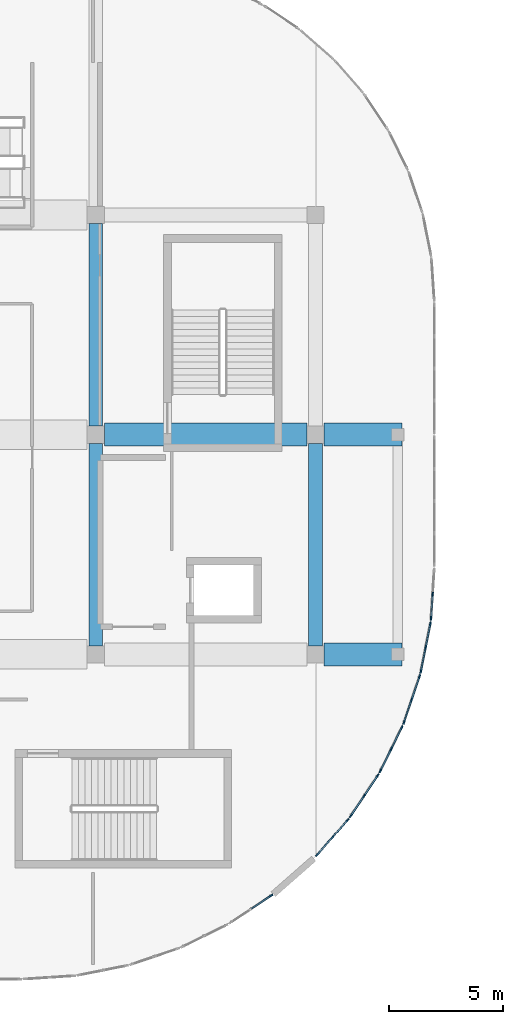
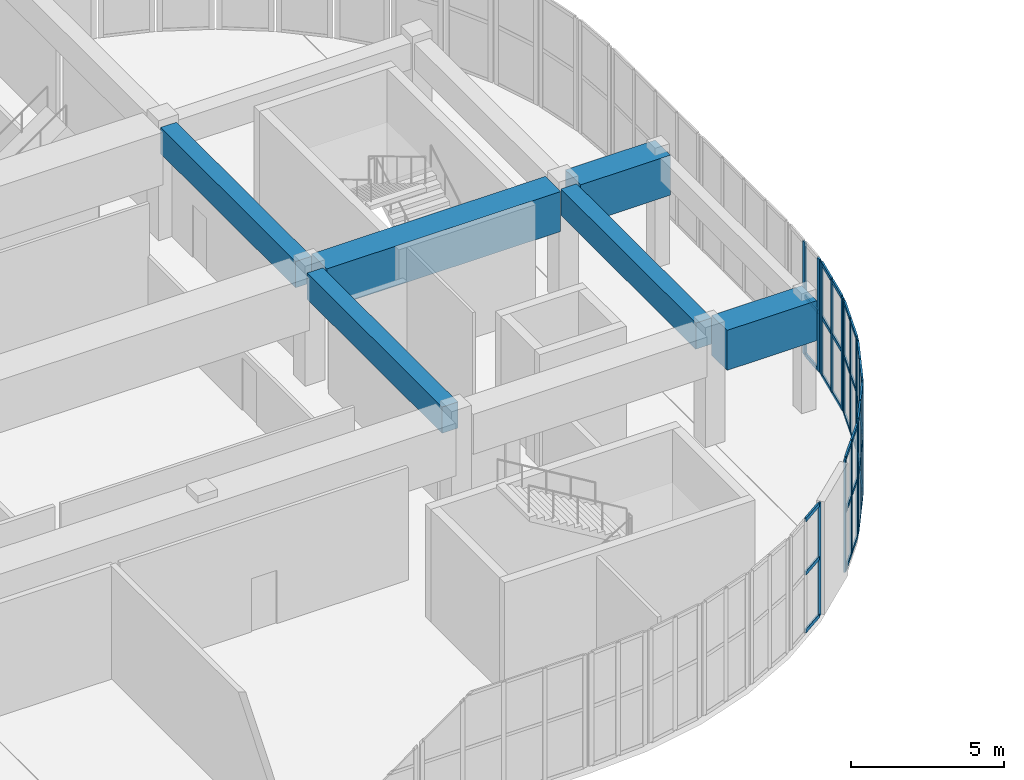
# One storey, part 8 of 28: 53 members, 6 beams, 7 elements without a shape of their own.
"""IFC4 building model written with IfcOpenShell, lengths in metres."""

from ifc_helpers import new_model, si_unit, direction, frame, origin, origin_2d, place, context, subcontext, project, spatial, rectangle, extrude, material, layer, layer_set, material_profile, profile_set, type_object, element, aggregate, save


model = new_model("IFC4")

# Units and contexts
model_context = context("Model", 3, precision=1e-05, world=origin(), true_north=direction((0.0, 1.0)))
body_context = subcontext(model_context, "Body", "Model", "MODEL_VIEW")
ifc_project = project(units=[si_unit("LENGTHUNIT", "METRE"), si_unit("AREAUNIT", "SQUARE_METRE"), si_unit("VOLUMEUNIT", "CUBIC_METRE"), si_unit("PLANEANGLEUNIT", "RADIAN"), si_unit("MASSUNIT", "GRAM", prefix="KILO")], contexts=[model_context])

# Site, building, storey
site_placement = place(None, origin())
site = spatial("IfcSite", under=ifc_project, at=site_placement, CompositionType="ELEMENT")
building_placement = place(site_placement, origin())
building = spatial("IfcBuilding", under=site, at=building_placement, Name="Cendralis Terraced Arcade", CompositionType="ELEMENT")
storey_placement = place(building_placement, frame((0.0, 0.0, 24.60009765625)))
storey = spatial("IfcBuildingStorey", under=building, at=storey_placement, Name="L05", CompositionType="ELEMENT", Elevation=24.60009765625)

# Beams
ifc_material_1 = material(Name="Concrete f'c 35 MPa", Category="concrete")
ifc_material_profile_1 = material_profile(ifc_material_1, rectangle(XDim=0.60009765625, YDim=1.050048828125, at=origin_2d()), Name="RC-BM-600x1050", Category="LoadBearing")
ifc_profile_set_1 = profile_set([ifc_material_profile_1], Name="Concrete f'c 35 MPa")
beam_type_1 = type_object("IfcBeamType", Name="BM-600x1050", PredefinedType="JOIST", material=ifc_profile_set_1)
beam_1_placement = place(storey_placement, frame((48.0, 19.574951171875, 3.98486328125), z_axis=(0.0, 1.0, 0.0), x_axis=(-1.0, 0.0, 0.0)))
element("IfcBeam", 1, at=beam_1_placement, inside=storey, type_object=beam_type_1, Name="Reinforced Concrete Frame Beam BM-Y-L06-6-C_D", PredefinedType="JOIST", context=body_context, shape_type="SweptSolid", body=[
    extrude(rectangle(XDim=0.60009765625, YDim=1.050048828125, at=origin_2d()), origin(), (0.0, 0.0, 1.0), 8.85009765625),
])
beam_2_placement = place(storey_placement, frame((48.0, 29.175048828125, 3.98486328125), z_axis=(0.0, 1.0, 0.0), x_axis=(-1.0, 0.0, 0.0)))
element("IfcBeam", 2, at=beam_2_placement, inside=storey, type_object=beam_type_1, Name="Reinforced Concrete Frame Beam BM-Y-L06-6-D_E", PredefinedType="JOIST", context=body_context, shape_type="SweptSolid", body=[
    extrude(rectangle(XDim=0.60009765625, YDim=1.050048828125, at=origin_2d()), origin(), (0.0, 0.0, 1.0), 8.849853515625),
])
beam_3_placement = place(storey_placement, frame((57.60009765625, 19.574951171875, 3.98486328125), z_axis=(0.0, 1.0, 0.0), x_axis=(-1.0, 0.0, 0.0)))
element("IfcBeam", 3, at=beam_3_placement, inside=storey, type_object=beam_type_1, Name="Reinforced Concrete Frame Beam BM-Y-L06-7-C_D", PredefinedType="JOIST", context=body_context, shape_type="SweptSolid", body=[
    extrude(rectangle(XDim=0.60009765625, YDim=1.050048828125, at=origin_2d()), origin(), (0.0, 0.0, 1.0), 8.85009765625),
])
ifc_material_2 = material(Name="Concrete f'c 42 MPa", Category="concrete")
ifc_material_profile_2 = material_profile(ifc_material_2, rectangle(XDim=1.0, YDim=1.60009765625, at=origin_2d()), Name="RC-TG-1000x1600", Category="LoadBearing")
ifc_profile_set_2 = profile_set([ifc_material_profile_2], Name="Concrete f'c 42 MPa")
beam_type_2 = type_object("IfcBeamType", Name="BM-TG-1000x1600", PredefinedType="USERDEFINED", material=ifc_profile_set_2)
beam_4_placement = place(storey_placement, frame((57.97509765625, 19.199951171875, 3.7099609375), z_axis=(1.0, 0.0, 0.0), x_axis=(0.0, 1.0, 0.0)))
element("IfcBeam", 4, at=beam_4_placement, inside=storey, type_object=beam_type_2, Name="Reinforced Concrete Transfer Girder TG-L06-C-CANT", ObjectType="TRANSFER GIRDER", PredefinedType="USERDEFINED", context=body_context, shape_type="SweptSolid", body=[
    extrude(rectangle(XDim=1.0, YDim=1.60009765625, at=origin_2d()), origin(), (0.0, 0.0, 1.0), 3.40478515625),
])
beam_5_placement = place(storey_placement, frame((48.375, 28.800048828125, 3.7099609375), z_axis=(1.0, 0.0, 0.0), x_axis=(0.0, 1.0, 0.0)))
element("IfcBeam", 5, at=beam_5_placement, inside=storey, type_object=beam_type_2, Name="Reinforced Concrete Transfer Girder TG-L06-D-BACK", ObjectType="TRANSFER GIRDER", PredefinedType="USERDEFINED", context=body_context, shape_type="SweptSolid", body=[
    extrude(rectangle(XDim=1.0, YDim=1.60009765625, at=origin_2d()), origin(), (0.0, 0.0, 1.0), 8.85009765625),
])
beam_6_placement = place(storey_placement, frame((57.97509765625, 28.800048828125, 3.7099609375), z_axis=(1.0, 0.0, 0.0), x_axis=(0.0, 1.0, 0.0)))
element("IfcBeam", 6, at=beam_6_placement, inside=storey, type_object=beam_type_2, Name="Reinforced Concrete Transfer Girder TG-L06-D-CANT", ObjectType="TRANSFER GIRDER", PredefinedType="USERDEFINED", context=body_context, shape_type="SweptSolid", body=[
    extrude(rectangle(XDim=1.0, YDim=1.60009765625, at=origin_2d()), origin(), (0.0, 0.0, 1.0), 3.40478515625),
])

# Curtain wall, members
ifc_material_3 = material(Name="Anodised aluminium EN AW-6063 T6", Category="aluminium")
ifc_layer = layer(ifc_material_3, 0.179931640625, Name="CW-UNIT-A")
ifc_layer_set = layer_set([ifc_layer], Name="Anodised aluminium EN AW-6063 T6")
curtain_wall_type = type_object("IfcCurtainWallType", Name="CW-UNIT-A", PredefinedType="USERDEFINED", material=ifc_layer_set)
curtain_wall_1_placement = place(storey_placement, origin())
curtain_wall_1 = element("IfcCurtainWall", 7, at=curtain_wall_1_placement, inside=storey, type_object=curtain_wall_type, Name="Exterior Unitised Facade CW-L05-0403", ObjectType="UNITISED FACADE", PredefinedType="USERDEFINED")
ifc_material_profile_3 = material_profile(ifc_material_3, rectangle(XDim=0.06494140625, YDim=0.179931640625, at=origin_2d()), Name="ALU-MUL-65x180")
ifc_profile_set_3 = profile_set([ifc_material_profile_3], Name="Anodised aluminium EN AW-6063 T6")
member_type_1 = type_object("IfcMemberType", Name="CW-UNIT-A-MUL", PredefinedType="MULLION", material=ifc_profile_set_3)
member_1_placement = place(storey_placement, frame((62.722900390625, 21.8251953125, 0.0), z_axis=(0.0, 0.0, 1.0), x_axis=(0.99785960626, -0.065392707503, 0.0)))
member_1 = element("IfcMember", 8, at=member_1_placement, type_object=member_type_1, Name="CW-U1 mullion 2", PredefinedType="MULLION", context=body_context, shape_type="SweptSolid", body=[
    extrude(rectangle(XDim=0.06494140625, YDim=0.179931640625, at=origin_2d()), origin(), (0.0, 0.0, 1.0), 4.510009765625),
])
member_2_placement = place(storey_placement, frame((62.654052734375, 20.772705078125, 0.0), z_axis=(0.0, 0.0, 1.0), x_axis=(0.99785960626, -0.065392707503, 0.0)))
member_2 = element("IfcMember", 9, at=member_2_placement, type_object=member_type_1, Name="CW-U1 mullion 3", PredefinedType="MULLION", context=body_context, shape_type="SweptSolid", body=[
    extrude(rectangle(XDim=0.06494140625, YDim=0.179931640625, at=origin_2d()), origin(), (0.0, 0.0, 1.0), 4.510009765625),
])

curtain_wall_2_placement = place(storey_placement, origin())
curtain_wall_2 = element("IfcCurtainWall", 10, at=curtain_wall_2_placement, inside=storey, type_object=curtain_wall_type, Name="Exterior Unitised Facade CW-L05-0404", ObjectType="UNITISED FACADE", PredefinedType="USERDEFINED")
member_3_placement = place(storey_placement, frame((62.6220703125, 20.5302734375, 0.0), z_axis=(0.0, 0.0, 1.0), x_axis=(0.980794124594, -0.195045853998, 0.0)))
member_3 = element("IfcMember", 11, at=member_3_placement, type_object=member_type_1, Name="CW-U1 mullion 1", PredefinedType="MULLION", context=body_context, shape_type="SweptSolid", body=[
    extrude(rectangle(XDim=0.06494140625, YDim=0.179931640625, at=origin_2d()), origin(), (0.0, 0.0, 1.0), 4.510009765625),
])
member_4_placement = place(storey_placement, frame((62.416259765625, 19.495849609375, 0.0), z_axis=(0.0, 0.0, 1.0), x_axis=(0.980794124594, -0.195045853998, 0.0)))
member_4 = element("IfcMember", 12, at=member_4_placement, type_object=member_type_1, Name="CW-U1 mullion 2", PredefinedType="MULLION", context=body_context, shape_type="SweptSolid", body=[
    extrude(rectangle(XDim=0.06494140625, YDim=0.179931640625, at=origin_2d()), origin(), (0.0, 0.0, 1.0), 4.510009765625),
])
member_5_placement = place(storey_placement, frame((62.210693359375, 18.46142578125, 0.0), z_axis=(0.0, 0.0, 1.0), x_axis=(0.980794124594, -0.195045853998, 0.0)))
member_5 = element("IfcMember", 13, at=member_5_placement, type_object=member_type_1, Name="CW-U1 mullion 3", PredefinedType="MULLION", context=body_context, shape_type="SweptSolid", body=[
    extrude(rectangle(XDim=0.06494140625, YDim=0.179931640625, at=origin_2d()), origin(), (0.0, 0.0, 1.0), 4.510009765625),
])

curtain_wall_3_placement = place(storey_placement, origin())
curtain_wall_3 = element("IfcCurtainWall", 14, at=curtain_wall_3_placement, inside=storey, type_object=curtain_wall_type, Name="Exterior Unitised Facade CW-L05-0405", ObjectType="UNITISED FACADE", PredefinedType="USERDEFINED")
member_6_placement = place(storey_placement, frame((62.1474609375, 18.225341796875, 0.0), z_axis=(0.0, 0.0, 1.0), x_axis=(0.946916721066, -0.321478962554, 0.0)))
member_6 = element("IfcMember", 15, at=member_6_placement, type_object=member_type_1, Name="CW-U1 mullion 1", PredefinedType="MULLION", context=body_context, shape_type="SweptSolid", body=[
    extrude(rectangle(XDim=0.06494140625, YDim=0.179931640625, at=origin_2d()), origin(), (0.0, 0.0, 1.0), 4.510009765625),
])
member_7_placement = place(storey_placement, frame((61.808349609375, 17.2265625, 0.0), z_axis=(0.0, 0.0, 1.0), x_axis=(0.946916721066, -0.321478962554, 0.0)))
member_7 = element("IfcMember", 16, at=member_7_placement, type_object=member_type_1, Name="CW-U1 mullion 2", PredefinedType="MULLION", context=body_context, shape_type="SweptSolid", body=[
    extrude(rectangle(XDim=0.06494140625, YDim=0.179931640625, at=origin_2d()), origin(), (0.0, 0.0, 1.0), 4.510009765625),
])
member_8_placement = place(storey_placement, frame((61.46923828125, 16.227783203125, 0.0), z_axis=(0.0, 0.0, 1.0), x_axis=(0.946916721066, -0.321478962554, 0.0)))
member_8 = element("IfcMember", 17, at=member_8_placement, type_object=member_type_1, Name="CW-U1 mullion 3", PredefinedType="MULLION", context=body_context, shape_type="SweptSolid", body=[
    extrude(rectangle(XDim=0.06494140625, YDim=0.179931640625, at=origin_2d()), origin(), (0.0, 0.0, 1.0), 4.510009765625),
])

curtain_wall_4_placement = place(storey_placement, origin())
curtain_wall_4 = element("IfcCurtainWall", 18, at=curtain_wall_4_placement, inside=storey, type_object=curtain_wall_type, Name="Exterior Unitised Facade CW-L05-0406", ObjectType="UNITISED FACADE", PredefinedType="USERDEFINED")
member_9_placement = place(storey_placement, frame((61.375732421875, 16.001953125, 0.0), z_axis=(0.0, 0.0, 1.0), x_axis=(0.896887612731, -0.442258533133, 0.0)))
member_9 = element("IfcMember", 19, at=member_9_placement, type_object=member_type_1, Name="CW-U1 mullion 1", PredefinedType="MULLION", context=body_context, shape_type="SweptSolid", body=[
    extrude(rectangle(XDim=0.06494140625, YDim=0.179931640625, at=origin_2d()), origin(), (0.0, 0.0, 1.0), 4.510009765625),
])
member_10_placement = place(storey_placement, frame((60.9091796875, 15.055908203125, 0.0), z_axis=(0.0, 0.0, 1.0), x_axis=(0.896887612731, -0.442258533133, 0.0)))
member_10 = element("IfcMember", 20, at=member_10_placement, type_object=member_type_1, Name="CW-U1 mullion 2", PredefinedType="MULLION", context=body_context, shape_type="SweptSolid", body=[
    extrude(rectangle(XDim=0.06494140625, YDim=0.179931640625, at=origin_2d()), origin(), (0.0, 0.0, 1.0), 4.510009765625),
])
member_11_placement = place(storey_placement, frame((60.442626953125, 14.10986328125, 0.0), z_axis=(0.0, 0.0, 1.0), x_axis=(0.896887612731, -0.442258533133, 0.0)))
member_11 = element("IfcMember", 21, at=member_11_placement, type_object=member_type_1, Name="CW-U1 mullion 3", PredefinedType="MULLION", context=body_context, shape_type="SweptSolid", body=[
    extrude(rectangle(XDim=0.06494140625, YDim=0.179931640625, at=origin_2d()), origin(), (0.0, 0.0, 1.0), 4.510009765625),
])

curtain_wall_5_placement = place(storey_placement, origin())
curtain_wall_5 = element("IfcCurtainWall", 22, at=curtain_wall_5_placement, inside=storey, type_object=curtain_wall_type, Name="Exterior Unitised Facade CW-L05-0407", ObjectType="UNITISED FACADE", PredefinedType="USERDEFINED")
member_12_placement = place(storey_placement, frame((60.320556640625, 13.898193359375, 0.0), z_axis=(0.0, 0.0, 1.0), x_axis=(0.831476791301, -0.555559488738, 0.0)))
member_12 = element("IfcMember", 23, at=member_12_placement, type_object=member_type_1, Name="CW-U1 mullion 1", PredefinedType="MULLION", context=body_context, shape_type="SweptSolid", body=[
    extrude(rectangle(XDim=0.06494140625, YDim=0.179931640625, at=origin_2d()), origin(), (0.0, 0.0, 1.0), 4.510009765625),
])
member_13_placement = place(storey_placement, frame((59.734375, 13.021240234375, 0.0), z_axis=(0.0, 0.0, 1.0), x_axis=(0.831476791301, -0.555559488738, 0.0)))
member_13 = element("IfcMember", 24, at=member_13_placement, type_object=member_type_1, Name="CW-U1 mullion 2", PredefinedType="MULLION", context=body_context, shape_type="SweptSolid", body=[
    extrude(rectangle(XDim=0.06494140625, YDim=0.179931640625, at=origin_2d()), origin(), (0.0, 0.0, 1.0), 4.510009765625),
])
member_14_placement = place(storey_placement, frame((59.1484375, 12.14404296875, 0.0), z_axis=(0.0, 0.0, 1.0), x_axis=(0.831476791301, -0.555559488738, 0.0)))
member_14 = element("IfcMember", 25, at=member_14_placement, type_object=member_type_1, Name="CW-U1 mullion 3", PredefinedType="MULLION", context=body_context, shape_type="SweptSolid", body=[
    extrude(rectangle(XDim=0.06494140625, YDim=0.179931640625, at=origin_2d()), origin(), (0.0, 0.0, 1.0), 4.510009765625),
])

curtain_wall_6_placement = place(storey_placement, origin())
curtain_wall_6 = element("IfcCurtainWall", 26, at=curtain_wall_6_placement, inside=storey, type_object=curtain_wall_type, Name="Exterior Unitised Facade CW-L05-0408", ObjectType="UNITISED FACADE", PredefinedType="USERDEFINED")
member_15_placement = place(storey_placement, frame((58.999755859375, 11.9501953125, 0.0), z_axis=(0.0, 0.0, 1.0), x_axis=(0.751803273575, -0.659387471706, 0.0)))
member_15 = element("IfcMember", 27, at=member_15_placement, type_object=member_type_1, Name="CW-U1 mullion 1", PredefinedType="MULLION", context=body_context, shape_type="SweptSolid", body=[
    extrude(rectangle(XDim=0.06494140625, YDim=0.179931640625, at=origin_2d()), origin(), (0.0, 0.0, 1.0), 4.510009765625),
])
member_16_placement = place(storey_placement, frame((58.33935546875, 11.197265625, 0.0), z_axis=(0.0, 0.0, 1.0), x_axis=(0.751803273575, -0.659387471706, 0.0)))
member_16 = element("IfcMember", 28, at=member_16_placement, type_object=member_type_1, Name="CW-U1 mullion 2", PredefinedType="MULLION", context=body_context, shape_type="SweptSolid", body=[
    extrude(rectangle(XDim=0.06494140625, YDim=0.179931640625, at=origin_2d()), origin(), (0.0, 0.0, 1.0), 4.510009765625),
])
member_17_placement = place(storey_placement, frame((57.678955078125, 10.4443359375, 0.0), z_axis=(0.0, 0.0, 1.0), x_axis=(0.751803273575, -0.659387471706, 0.0)))
member_17 = element("IfcMember", 29, at=member_17_placement, type_object=member_type_1, Name="CW-U1 mullion 3", PredefinedType="MULLION", context=body_context, shape_type="SweptSolid", body=[
    extrude(rectangle(XDim=0.06494140625, YDim=0.179931640625, at=origin_2d()), origin(), (0.0, 0.0, 1.0), 4.510009765625),
])

# Curtain wall, member
curtain_wall_7_placement = place(storey_placement, origin())
curtain_wall_7 = element("IfcCurtainWall", 30, at=curtain_wall_7_placement, inside=storey, type_object=curtain_wall_type, Name="Exterior Unitised Facade CW-L05-0409", ObjectType="UNITISED FACADE", PredefinedType="USERDEFINED")
member_18_placement = place(storey_placement, frame((55.65576171875, 8.651611328125, 0.0), z_axis=(0.0, 0.0, 1.0), x_axis=(0.555559488738, -0.831476791301, 0.0)))
member_18 = element("IfcMember", 31, at=member_18_placement, type_object=member_type_1, Name="CW-U1 mullion 1", PredefinedType="MULLION", context=body_context, shape_type="SweptSolid", body=[
    extrude(rectangle(XDim=0.06494140625, YDim=0.179931640625, at=origin_2d()), origin(), (0.0, 0.0, 1.0), 4.510009765625),
])

# Member
ifc_material_profile_4 = material_profile(ifc_material_3, rectangle(XDim=0.06494140625, YDim=0.14990234375, at=origin_2d()), Name="ALU-TRN-65x150")
ifc_profile_set_4 = profile_set([ifc_material_profile_4], Name="Anodised aluminium EN AW-6063 T6")
member_type_2 = type_object("IfcMemberType", Name="CW-UNIT-A-TRN", PredefinedType="USERDEFINED", material=ifc_profile_set_4)
member_19_placement = place(storey_placement, frame((62.720947265625, 21.792724609375, 0.032470703125), z_axis=(-0.065372840697, -0.997860907992, 0.0), x_axis=(0.997860907992, -0.065372840697, 0.0)))
member_19 = element("IfcMember", 32, at=member_19_placement, type_object=member_type_2, Name="CW-U1 transom 2.1", ObjectType="TRANSOM", PredefinedType="USERDEFINED", context=body_context, shape_type="SweptSolid", body=[
    extrude(rectangle(XDim=0.06494140625, YDim=0.14990234375, at=origin_2d()), origin(), (0.0, 0.0, 1.0), 0.98974609375),
])

member_20_placement = place(storey_placement, frame((62.720947265625, 21.792724609375, 2.34521484375), z_axis=(-0.065372840697, -0.997860907992, 0.0), x_axis=(0.997860907992, -0.065372840697, 0.0)))
member_20 = element("IfcMember", 33, at=member_20_placement, type_object=member_type_2, Name="CW-U1 transom 2.2", ObjectType="TRANSOM", PredefinedType="USERDEFINED", context=body_context, shape_type="SweptSolid", body=[
    extrude(rectangle(XDim=0.06494140625, YDim=0.14990234375, at=origin_2d()), origin(), (0.0, 0.0, 1.0), 0.98974609375),
])

aggregate(curtain_wall_1, [member_1, member_2, member_19, member_20])

member_21_placement = place(storey_placement, frame((62.61572265625, 20.49853515625, 0.032470703125), z_axis=(-0.195119846833, -0.98077940709, 0.0), x_axis=(0.98077940709, -0.195119846833, 0.0)))
member_21 = element("IfcMember", 34, at=member_21_placement, type_object=member_type_2, Name="CW-U1 transom 1.1", ObjectType="TRANSOM", PredefinedType="USERDEFINED", context=body_context, shape_type="SweptSolid", body=[
    extrude(rectangle(XDim=0.06494140625, YDim=0.14990234375, at=origin_2d()), origin(), (0.0, 0.0, 1.0), 0.98974609375),
])

member_22_placement = place(storey_placement, frame((62.61572265625, 20.49853515625, 2.34521484375), z_axis=(-0.195119846833, -0.98077940709, 0.0), x_axis=(0.98077940709, -0.195119846833, 0.0)))
member_22 = element("IfcMember", 35, at=member_22_placement, type_object=member_type_2, Name="CW-U1 transom 1.2", ObjectType="TRANSOM", PredefinedType="USERDEFINED", context=body_context, shape_type="SweptSolid", body=[
    extrude(rectangle(XDim=0.06494140625, YDim=0.14990234375, at=origin_2d()), origin(), (0.0, 0.0, 1.0), 0.98974609375),
])

member_23_placement = place(storey_placement, frame((62.61572265625, 20.49853515625, 4.477294921875), z_axis=(-0.195119846833, -0.98077940709, 0.0), x_axis=(0.98077940709, -0.195119846833, 0.0)))
member_23 = element("IfcMember", 36, at=member_23_placement, type_object=member_type_2, Name="CW-U1 transom 1.3", ObjectType="TRANSOM", PredefinedType="USERDEFINED", context=body_context, shape_type="SweptSolid", body=[
    extrude(rectangle(XDim=0.06494140625, YDim=0.14990234375, at=origin_2d()), origin(), (0.0, 0.0, 1.0), 0.98974609375),
])

member_24_placement = place(storey_placement, frame((62.409912109375, 19.464111328125, 0.032470703125), z_axis=(-0.194882546153, -0.980826586714, 0.0), x_axis=(0.980826586714, -0.194882546153, 0.0)))
member_24 = element("IfcMember", 37, at=member_24_placement, type_object=member_type_2, Name="CW-U1 transom 2.1", ObjectType="TRANSOM", PredefinedType="USERDEFINED", context=body_context, shape_type="SweptSolid", body=[
    extrude(rectangle(XDim=0.06494140625, YDim=0.14990234375, at=origin_2d()), origin(), (0.0, 0.0, 1.0), 0.98974609375),
])

member_25_placement = place(storey_placement, frame((62.409912109375, 19.464111328125, 2.34521484375), z_axis=(-0.194882546153, -0.980826586714, 0.0), x_axis=(0.980826586714, -0.194882546153, 0.0)))
member_25 = element("IfcMember", 38, at=member_25_placement, type_object=member_type_2, Name="CW-U1 transom 2.2", ObjectType="TRANSOM", PredefinedType="USERDEFINED", context=body_context, shape_type="SweptSolid", body=[
    extrude(rectangle(XDim=0.06494140625, YDim=0.14990234375, at=origin_2d()), origin(), (0.0, 0.0, 1.0), 0.98974609375),
])

member_26_placement = place(storey_placement, frame((62.409912109375, 19.464111328125, 4.477294921875), z_axis=(-0.194882546153, -0.980826586714, 0.0), x_axis=(0.980826586714, -0.194882546153, 0.0)))
member_26 = element("IfcMember", 39, at=member_26_placement, type_object=member_type_2, Name="CW-U1 transom 2.3", ObjectType="TRANSOM", PredefinedType="USERDEFINED", context=body_context, shape_type="SweptSolid", body=[
    extrude(rectangle(XDim=0.06494140625, YDim=0.14990234375, at=origin_2d()), origin(), (0.0, 0.0, 1.0), 0.98974609375),
])

aggregate(curtain_wall_2, [member_3, member_4, member_5, member_21, member_22, member_23, member_24, member_25, member_26])

member_27_placement = place(storey_placement, frame((62.136962890625, 18.194580078125, 0.032470703125), z_axis=(-0.321624150103, -0.946867417367, 0.0), x_axis=(0.946867417367, -0.321624150103, 0.0)))
member_27 = element("IfcMember", 40, at=member_27_placement, type_object=member_type_2, Name="CW-U1 transom 1.1", ObjectType="TRANSOM", PredefinedType="USERDEFINED", context=body_context, shape_type="SweptSolid", body=[
    extrude(rectangle(XDim=0.06494140625, YDim=0.14990234375, at=origin_2d()), origin(), (0.0, 0.0, 1.0), 0.98974609375),
])

member_28_placement = place(storey_placement, frame((62.136962890625, 18.194580078125, 2.34521484375), z_axis=(-0.321624150103, -0.946867417367, 0.0), x_axis=(0.946867417367, -0.321624150103, 0.0)))
member_28 = element("IfcMember", 41, at=member_28_placement, type_object=member_type_2, Name="CW-U1 transom 1.2", ObjectType="TRANSOM", PredefinedType="USERDEFINED", context=body_context, shape_type="SweptSolid", body=[
    extrude(rectangle(XDim=0.06494140625, YDim=0.14990234375, at=origin_2d()), origin(), (0.0, 0.0, 1.0), 0.98974609375),
])

member_29_placement = place(storey_placement, frame((62.136962890625, 18.194580078125, 4.477294921875), z_axis=(-0.321624150103, -0.946867417367, 0.0), x_axis=(0.946867417367, -0.321624150103, 0.0)))
member_29 = element("IfcMember", 42, at=member_29_placement, type_object=member_type_2, Name="CW-U1 transom 1.3", ObjectType="TRANSOM", PredefinedType="USERDEFINED", context=body_context, shape_type="SweptSolid", body=[
    extrude(rectangle(XDim=0.06494140625, YDim=0.14990234375, at=origin_2d()), origin(), (0.0, 0.0, 1.0), 0.98974609375),
])

member_30_placement = place(storey_placement, frame((61.7978515625, 17.19580078125, 0.032470703125), z_axis=(-0.321624150103, -0.946867417367, 0.0), x_axis=(0.946867417367, -0.321624150103, 0.0)))
member_30 = element("IfcMember", 43, at=member_30_placement, type_object=member_type_2, Name="CW-U1 transom 2.1", ObjectType="TRANSOM", PredefinedType="USERDEFINED", context=body_context, shape_type="SweptSolid", body=[
    extrude(rectangle(XDim=0.06494140625, YDim=0.14990234375, at=origin_2d()), origin(), (0.0, 0.0, 1.0), 0.98974609375),
])

member_31_placement = place(storey_placement, frame((61.7978515625, 17.19580078125, 2.34521484375), z_axis=(-0.321624150103, -0.946867417367, 0.0), x_axis=(0.946867417367, -0.321624150103, 0.0)))
member_31 = element("IfcMember", 44, at=member_31_placement, type_object=member_type_2, Name="CW-U1 transom 2.2", ObjectType="TRANSOM", PredefinedType="USERDEFINED", context=body_context, shape_type="SweptSolid", body=[
    extrude(rectangle(XDim=0.06494140625, YDim=0.14990234375, at=origin_2d()), origin(), (0.0, 0.0, 1.0), 0.98974609375),
])

member_32_placement = place(storey_placement, frame((61.7978515625, 17.19580078125, 4.477294921875), z_axis=(-0.321624150103, -0.946867417367, 0.0), x_axis=(0.946867417367, -0.321624150103, 0.0)))
member_32 = element("IfcMember", 45, at=member_32_placement, type_object=member_type_2, Name="CW-U1 transom 2.3", ObjectType="TRANSOM", PredefinedType="USERDEFINED", context=body_context, shape_type="SweptSolid", body=[
    extrude(rectangle(XDim=0.06494140625, YDim=0.14990234375, at=origin_2d()), origin(), (0.0, 0.0, 1.0), 0.98974609375),
])

aggregate(curtain_wall_3, [member_6, member_7, member_8, member_27, member_28, member_29, member_30, member_31, member_32])

member_33_placement = place(storey_placement, frame((61.361328125, 15.97265625, 0.032470703125), z_axis=(-0.442273458104, -0.89688025302, 0.0), x_axis=(0.89688025302, -0.442273458104, 0.0)))
member_33 = element("IfcMember", 46, at=member_33_placement, type_object=member_type_2, Name="CW-U1 transom 1.1", ObjectType="TRANSOM", PredefinedType="USERDEFINED", context=body_context, shape_type="SweptSolid", body=[
    extrude(rectangle(XDim=0.06494140625, YDim=0.14990234375, at=origin_2d()), origin(), (0.0, 0.0, 1.0), 0.98974609375),
])

member_34_placement = place(storey_placement, frame((61.361328125, 15.97265625, 2.34521484375), z_axis=(-0.442273458104, -0.89688025302, 0.0), x_axis=(0.89688025302, -0.442273458104, 0.0)))
member_34 = element("IfcMember", 47, at=member_34_placement, type_object=member_type_2, Name="CW-U1 transom 1.2", ObjectType="TRANSOM", PredefinedType="USERDEFINED", context=body_context, shape_type="SweptSolid", body=[
    extrude(rectangle(XDim=0.06494140625, YDim=0.14990234375, at=origin_2d()), origin(), (0.0, 0.0, 1.0), 0.98974609375),
])

member_35_placement = place(storey_placement, frame((61.361328125, 15.97265625, 4.477294921875), z_axis=(-0.442273458104, -0.89688025302, 0.0), x_axis=(0.89688025302, -0.442273458104, 0.0)))
member_35 = element("IfcMember", 48, at=member_35_placement, type_object=member_type_2, Name="CW-U1 transom 1.3", ObjectType="TRANSOM", PredefinedType="USERDEFINED", context=body_context, shape_type="SweptSolid", body=[
    extrude(rectangle(XDim=0.06494140625, YDim=0.14990234375, at=origin_2d()), origin(), (0.0, 0.0, 1.0), 0.98974609375),
])

member_36_placement = place(storey_placement, frame((60.894775390625, 15.026611328125, 0.032470703125), z_axis=(-0.442273458104, -0.89688025302, 0.0), x_axis=(0.89688025302, -0.442273458104, 0.0)))
member_36 = element("IfcMember", 49, at=member_36_placement, type_object=member_type_2, Name="CW-U1 transom 2.1", ObjectType="TRANSOM", PredefinedType="USERDEFINED", context=body_context, shape_type="SweptSolid", body=[
    extrude(rectangle(XDim=0.06494140625, YDim=0.14990234375, at=origin_2d()), origin(), (0.0, 0.0, 1.0), 0.98974609375),
])

member_37_placement = place(storey_placement, frame((60.894775390625, 15.026611328125, 2.34521484375), z_axis=(-0.442273458104, -0.89688025302, 0.0), x_axis=(0.89688025302, -0.442273458104, 0.0)))
member_37 = element("IfcMember", 50, at=member_37_placement, type_object=member_type_2, Name="CW-U1 transom 2.2", ObjectType="TRANSOM", PredefinedType="USERDEFINED", context=body_context, shape_type="SweptSolid", body=[
    extrude(rectangle(XDim=0.06494140625, YDim=0.14990234375, at=origin_2d()), origin(), (0.0, 0.0, 1.0), 0.98974609375),
])

member_38_placement = place(storey_placement, frame((60.894775390625, 15.026611328125, 4.477294921875), z_axis=(-0.442273458104, -0.89688025302, 0.0), x_axis=(0.89688025302, -0.442273458104, 0.0)))
member_38 = element("IfcMember", 51, at=member_38_placement, type_object=member_type_2, Name="CW-U1 transom 2.3", ObjectType="TRANSOM", PredefinedType="USERDEFINED", context=body_context, shape_type="SweptSolid", body=[
    extrude(rectangle(XDim=0.06494140625, YDim=0.14990234375, at=origin_2d()), origin(), (0.0, 0.0, 1.0), 0.98974609375),
])

aggregate(curtain_wall_4, [member_9, member_10, member_11, member_33, member_34, member_35, member_36, member_37, member_38])

member_39_placement = place(storey_placement, frame((60.302490234375, 13.87109375, 0.032470703125), z_axis=(-0.555667387043, -0.831404687849, 0.0), x_axis=(0.831404687849, -0.555667387043, 0.0)))
member_39 = element("IfcMember", 52, at=member_39_placement, type_object=member_type_2, Name="CW-U1 transom 1.1", ObjectType="TRANSOM", PredefinedType="USERDEFINED", context=body_context, shape_type="SweptSolid", body=[
    extrude(rectangle(XDim=0.06494140625, YDim=0.14990234375, at=origin_2d()), origin(), (0.0, 0.0, 1.0), 0.989990234375),
])

member_40_placement = place(storey_placement, frame((60.302490234375, 13.87109375, 2.34521484375), z_axis=(-0.555667387043, -0.831404687849, 0.0), x_axis=(0.831404687849, -0.555667387043, 0.0)))
member_40 = element("IfcMember", 53, at=member_40_placement, type_object=member_type_2, Name="CW-U1 transom 1.2", ObjectType="TRANSOM", PredefinedType="USERDEFINED", context=body_context, shape_type="SweptSolid", body=[
    extrude(rectangle(XDim=0.06494140625, YDim=0.14990234375, at=origin_2d()), origin(), (0.0, 0.0, 1.0), 0.989990234375),
])

member_41_placement = place(storey_placement, frame((60.302490234375, 13.87109375, 4.477294921875), z_axis=(-0.555667387043, -0.831404687849, 0.0), x_axis=(0.831404687849, -0.555667387043, 0.0)))
member_41 = element("IfcMember", 54, at=member_41_placement, type_object=member_type_2, Name="CW-U1 transom 1.3", ObjectType="TRANSOM", PredefinedType="USERDEFINED", context=body_context, shape_type="SweptSolid", body=[
    extrude(rectangle(XDim=0.06494140625, YDim=0.14990234375, at=origin_2d()), origin(), (0.0, 0.0, 1.0), 0.989990234375),
])

member_42_placement = place(storey_placement, frame((59.71630859375, 12.994140625, 0.032470703125), z_axis=(-0.555496869946, -0.83151862726, 0.0), x_axis=(0.83151862726, -0.555496869946, 0.0)))
member_42 = element("IfcMember", 55, at=member_42_placement, type_object=member_type_2, Name="CW-U1 transom 2.1", ObjectType="TRANSOM", PredefinedType="USERDEFINED", context=body_context, shape_type="SweptSolid", body=[
    extrude(rectangle(XDim=0.06494140625, YDim=0.14990234375, at=origin_2d()), origin(), (0.0, 0.0, 1.0), 0.98974609375),
])

member_43_placement = place(storey_placement, frame((59.71630859375, 12.994140625, 2.34521484375), z_axis=(-0.555496869946, -0.83151862726, 0.0), x_axis=(0.83151862726, -0.555496869946, 0.0)))
member_43 = element("IfcMember", 56, at=member_43_placement, type_object=member_type_2, Name="CW-U1 transom 2.2", ObjectType="TRANSOM", PredefinedType="USERDEFINED", context=body_context, shape_type="SweptSolid", body=[
    extrude(rectangle(XDim=0.06494140625, YDim=0.14990234375, at=origin_2d()), origin(), (0.0, 0.0, 1.0), 0.98974609375),
])

member_44_placement = place(storey_placement, frame((59.71630859375, 12.994140625, 4.477294921875), z_axis=(-0.555496869946, -0.83151862726, 0.0), x_axis=(0.83151862726, -0.555496869946, 0.0)))
member_44 = element("IfcMember", 57, at=member_44_placement, type_object=member_type_2, Name="CW-U1 transom 2.3", ObjectType="TRANSOM", PredefinedType="USERDEFINED", context=body_context, shape_type="SweptSolid", body=[
    extrude(rectangle(XDim=0.06494140625, YDim=0.14990234375, at=origin_2d()), origin(), (0.0, 0.0, 1.0), 0.98974609375),
])

aggregate(curtain_wall_5, [member_12, member_13, member_14, member_39, member_40, member_41, member_42, member_43, member_44])

member_45_placement = place(storey_placement, frame((58.978271484375, 11.92578125, 0.032470703125), z_axis=(-0.659316323929, -0.751865669518, 0.0), x_axis=(0.751865669518, -0.659316323929, 0.0)))
member_45 = element("IfcMember", 58, at=member_45_placement, type_object=member_type_2, Name="CW-U1 transom 1.1", ObjectType="TRANSOM", PredefinedType="USERDEFINED", context=body_context, shape_type="SweptSolid", body=[
    extrude(rectangle(XDim=0.06494140625, YDim=0.14990234375, at=origin_2d()), origin(), (0.0, 0.0, 1.0), 0.9365234375),
])

member_46_placement = place(storey_placement, frame((58.978271484375, 11.92578125, 2.34521484375), z_axis=(-0.659316323929, -0.751865669518, 0.0), x_axis=(0.751865669518, -0.659316323929, 0.0)))
member_46 = element("IfcMember", 59, at=member_46_placement, type_object=member_type_2, Name="CW-U1 transom 1.2", ObjectType="TRANSOM", PredefinedType="USERDEFINED", context=body_context, shape_type="SweptSolid", body=[
    extrude(rectangle(XDim=0.06494140625, YDim=0.14990234375, at=origin_2d()), origin(), (0.0, 0.0, 1.0), 0.9365234375),
])

member_47_placement = place(storey_placement, frame((58.978271484375, 11.92578125, 4.477294921875), z_axis=(-0.659316323929, -0.751865669518, 0.0), x_axis=(0.751865669518, -0.659316323929, 0.0)))
member_47 = element("IfcMember", 60, at=member_47_placement, type_object=member_type_2, Name="CW-U1 transom 1.3", ObjectType="TRANSOM", PredefinedType="USERDEFINED", context=body_context, shape_type="SweptSolid", body=[
    extrude(rectangle(XDim=0.06494140625, YDim=0.14990234375, at=origin_2d()), origin(), (0.0, 0.0, 1.0), 0.9365234375),
])

member_48_placement = place(storey_placement, frame((58.31787109375, 11.1728515625, 0.032470703125), z_axis=(-0.659316323929, -0.751865669518, 0.0), x_axis=(0.751865669518, -0.659316323929, 0.0)))
member_48 = element("IfcMember", 61, at=member_48_placement, type_object=member_type_2, Name="CW-U1 transom 2.1", ObjectType="TRANSOM", PredefinedType="USERDEFINED", context=body_context, shape_type="SweptSolid", body=[
    extrude(rectangle(XDim=0.06494140625, YDim=0.14990234375, at=origin_2d()), origin(), (0.0, 0.0, 1.0), 0.9365234375),
])

member_49_placement = place(storey_placement, frame((58.31787109375, 11.1728515625, 2.34521484375), z_axis=(-0.659316323929, -0.751865669518, 0.0), x_axis=(0.751865669518, -0.659316323929, 0.0)))
member_49 = element("IfcMember", 62, at=member_49_placement, type_object=member_type_2, Name="CW-U1 transom 2.2", ObjectType="TRANSOM", PredefinedType="USERDEFINED", context=body_context, shape_type="SweptSolid", body=[
    extrude(rectangle(XDim=0.06494140625, YDim=0.14990234375, at=origin_2d()), origin(), (0.0, 0.0, 1.0), 0.9365234375),
])

member_50_placement = place(storey_placement, frame((58.31787109375, 11.1728515625, 4.477294921875), z_axis=(-0.659316323929, -0.751865669518, 0.0), x_axis=(0.751865669518, -0.659316323929, 0.0)))
member_50 = element("IfcMember", 63, at=member_50_placement, type_object=member_type_2, Name="CW-U1 transom 2.3", ObjectType="TRANSOM", PredefinedType="USERDEFINED", context=body_context, shape_type="SweptSolid", body=[
    extrude(rectangle(XDim=0.06494140625, YDim=0.14990234375, at=origin_2d()), origin(), (0.0, 0.0, 1.0), 0.9365234375),
])

aggregate(curtain_wall_6, [member_15, member_16, member_17, member_45, member_46, member_47, member_48, member_49, member_50])

member_51_placement = place(storey_placement, frame((55.62890625, 8.633544921875, 0.032470703125), z_axis=(-0.831404687849, -0.555667387043, 0.0), x_axis=(0.555667387043, -0.831404687849, 0.0)))
member_51 = element("IfcMember", 64, at=member_51_placement, type_object=member_type_2, Name="CW-U1 transom 1.1", ObjectType="TRANSOM", PredefinedType="USERDEFINED", context=body_context, shape_type="SweptSolid", body=[
    extrude(rectangle(XDim=0.06494140625, YDim=0.14990234375, at=origin_2d()), origin(), (0.0, 0.0, 1.0), 0.989990234375),
])

member_52_placement = place(storey_placement, frame((55.62890625, 8.633544921875, 2.34521484375), z_axis=(-0.831404687849, -0.555667387043, 0.0), x_axis=(0.555667387043, -0.831404687849, 0.0)))
member_52 = element("IfcMember", 65, at=member_52_placement, type_object=member_type_2, Name="CW-U1 transom 1.2", ObjectType="TRANSOM", PredefinedType="USERDEFINED", context=body_context, shape_type="SweptSolid", body=[
    extrude(rectangle(XDim=0.06494140625, YDim=0.14990234375, at=origin_2d()), origin(), (0.0, 0.0, 1.0), 0.989990234375),
])

member_53_placement = place(storey_placement, frame((55.62890625, 8.633544921875, 4.477294921875), z_axis=(-0.831404687849, -0.555667387043, 0.0), x_axis=(0.555667387043, -0.831404687849, 0.0)))
member_53 = element("IfcMember", 66, at=member_53_placement, type_object=member_type_2, Name="CW-U1 transom 1.3", ObjectType="TRANSOM", PredefinedType="USERDEFINED", context=body_context, shape_type="SweptSolid", body=[
    extrude(rectangle(XDim=0.06494140625, YDim=0.14990234375, at=origin_2d()), origin(), (0.0, 0.0, 1.0), 0.989990234375),
])

aggregate(curtain_wall_7, [member_18, member_51, member_52, member_53])

save(model, "model.ifc")
